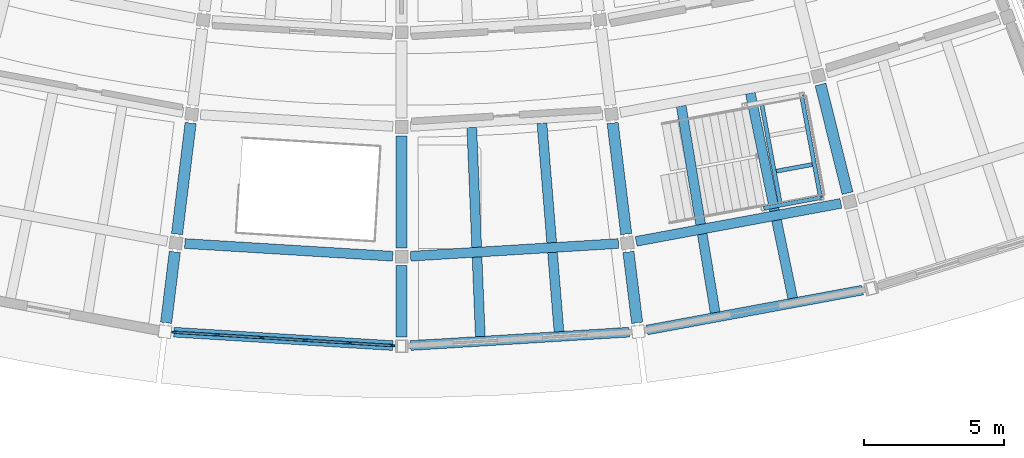
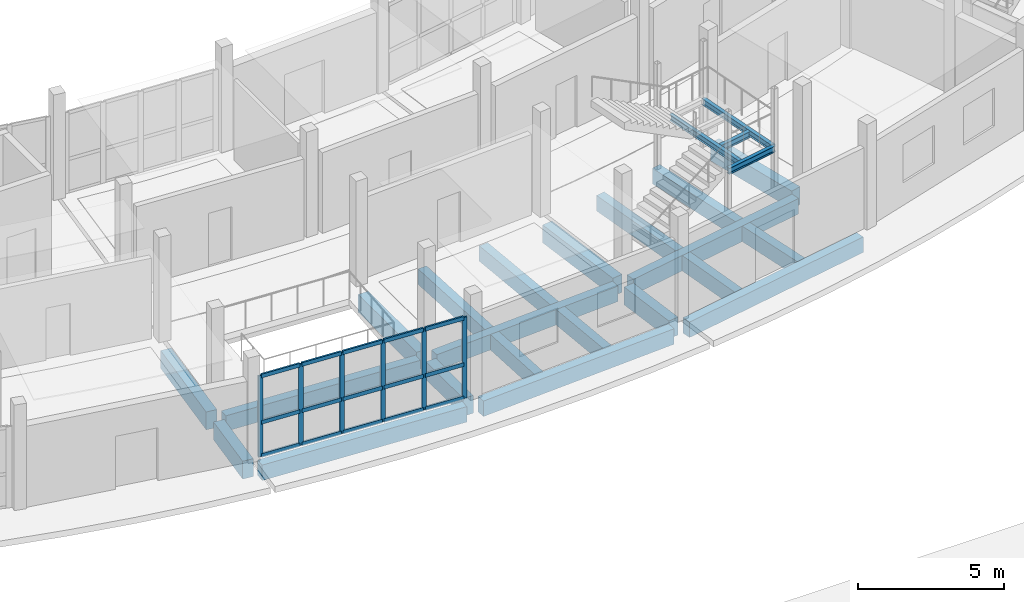
# One storey, part 29 of 92: 21 beams, 21 members, 1 element without a shape of its own.
"""IFC4 building model written with IfcOpenShell, lengths in metres."""

import ifcopenshell
import ifcopenshell.guid

model = None  # the IFC model being written
_history = None  # IfcOwnerHistory: only IFC2X3 demands one
_inside = {}  # id of a spatial element -> (the spatial element, [elements in it])
_under = {}  # id of a project, library or spatial element -> (it, [spatial elements below it])
_declared = {}  # id of a project -> (the project, [libraries it declares])
_typed = {}  # id of a type object -> (the type object, [elements of that type])
_made_of = {}  # id of a material, layer set ... -> (it, [elements and type objects made of it])


def new_model(schema):
    """Start an empty IFC model of exactly this schema.

    Asked for "IFC4X3", IfcOpenShell would pick the latest addendum, in which some entities
    have other attributes; the version numbers below select the first issue.
    IFC2X3 requires an IfcOwnerHistory on every rooted entity: one is made here for all.
    """
    global model, _history
    if schema == "IFC4X3":
        model = ifcopenshell.file(schema_version=(4, 3, 0, 0))
    else:
        model = ifcopenshell.file(schema=schema)
    _inside.clear()
    _under.clear()
    _declared.clear()
    _typed.clear()
    _made_of.clear()
    _history = None
    if model.schema == "IFC2X3":
        org = make("IfcOrganization", Name="unknown")
        user = make(
            "IfcPersonAndOrganization",
            ThePerson=make("IfcPerson", FamilyName="unknown"),
            TheOrganization=org,
        )
        app = make(
            "IfcApplication",
            ApplicationDeveloper=org,
            Version="unknown",
            ApplicationFullName="unknown",
            ApplicationIdentifier="unknown",
        )
        _history = make(
            "IfcOwnerHistory",
            OwningUser=user,
            OwningApplication=app,
            ChangeAction="ADDED",
            CreationDate=0,
        )
    return model


def make(cls, **values):
    """One entity of the class cls with the attributes given. An attribute that is None is left unset."""
    return model.create_entity(
        cls, **{name: value for name, value in values.items() if value is not None}
    )


def rooted(cls, **values):
    """An entity with a GlobalId (a new one), such as an element, a storey or a relation."""
    return make(cls, GlobalId=ifcopenshell.guid.new(), OwnerHistory=_history, **values)


def si_unit(unit_type, name, prefix=None):
    """IfcSIUnit, for example si_unit("LENGTHUNIT", "METRE", prefix="MILLI")."""
    return make("IfcSIUnit", UnitType=unit_type, Prefix=prefix, Name=name)


def assignment(units):
    """IfcUnitAssignment: the units of a project."""
    return None if units is None else make("IfcUnitAssignment", Units=units)


def point(xyz):
    """IfcCartesianPoint."""
    return None if xyz is None else make("IfcCartesianPoint", Coordinates=xyz)


def direction(xyz):
    """IfcDirection."""
    return None if xyz is None else make("IfcDirection", DirectionRatios=xyz)


def frame(location, z_axis=None, x_axis=None):
    """IfcAxis2Placement3D, a coordinate frame: its origin and axes. An axis left out is left unset."""
    return make(
        "IfcAxis2Placement3D",
        Location=point(location),
        Axis=direction(z_axis),
        RefDirection=direction(x_axis),
    )


def frame_2d(location, x_axis=None):
    """IfcAxis2Placement2D, a coordinate frame in the plane: its origin and x axis."""
    return make(
        "IfcAxis2Placement2D", Location=point(location), RefDirection=direction(x_axis)
    )


def origin():
    """The frame at (0, 0, 0) with its axes left unset."""
    return frame((0.0, 0.0, 0.0))


def origin_2d():
    """The frame at (0, 0) in the plane with its x axis left unset."""
    return frame_2d((0.0, 0.0))


def place(relative_to, where):
    """IfcLocalPlacement: puts the frame where relative to a parent placement (None: the world)."""
    return make(
        "IfcLocalPlacement", PlacementRelTo=relative_to, RelativePlacement=where
    )


def context(
    kind, dimensions, precision=None, world=None, true_north=None, identifier=None
):
    """IfcGeometricRepresentationContext, for example the 3D "Model" context."""
    return make(
        "IfcGeometricRepresentationContext",
        ContextIdentifier=identifier,
        ContextType=kind,
        CoordinateSpaceDimension=dimensions,
        Precision=precision,
        WorldCoordinateSystem=world,
        TrueNorth=true_north,
    )


def subcontext(parent, identifier, kind, view, scale=None):
    """IfcGeometricRepresentationSubContext, for example "Body" below "Model"."""
    return make(
        "IfcGeometricRepresentationSubContext",
        ContextIdentifier=identifier,
        ContextType=kind,
        ParentContext=parent,
        TargetScale=scale,
        TargetView=view,
    )


def project(units=None, contexts=None):
    """IfcProject with its units and contexts."""
    return rooted(
        "IfcProject",
        Name="project",
        RepresentationContexts=contexts,
        UnitsInContext=assignment(units),
    )


def spatial(cls, under=None, at=None, **own):
    """A site, building, storey or space (cls), placed at a placement, below another one or the project."""
    s = rooted(cls, ObjectPlacement=at, **own)
    if under is not None:
        _under.setdefault(under.id(), (under, []))[1].append(s)
    return s


def profile(cls, at=None, kind="AREA", **sizes):
    """A parametric profile (cls). Its sizes go by their IFC names, for example OverallWidth=200.0."""
    return make(cls, ProfileType=kind, Position=at, **sizes)


def rectangle(**sizes):
    """IfcRectangleProfileDef."""
    return profile("IfcRectangleProfileDef", **sizes)


def i_section(**sizes):
    """IfcIShapeProfileDef."""
    return profile("IfcIShapeProfileDef", **sizes)


def extrude(swept, where, along, depth):
    """IfcExtrudedAreaSolid: the profile swept, set in the frame where, extruded along a direction by depth."""
    return make(
        "IfcExtrudedAreaSolid",
        SweptArea=swept,
        Position=where,
        ExtrudedDirection=direction(along),
        Depth=depth,
    )


def shape(context_of_items, identifier, shape_type, items):
    """IfcShapeRepresentation: the items that make up one representation, for example the "Body"."""
    return make(
        "IfcShapeRepresentation",
        ContextOfItems=context_of_items,
        RepresentationIdentifier=identifier,
        RepresentationType=shape_type,
        Items=items,
    )


def material(Name=None, Category=None):
    """IfcMaterial."""
    return make("IfcMaterial", Name=Name, Category=Category)


def layer(
    of_material, thickness, ventilated=None, Name=None, Category=None, Priority=None
):
    """IfcMaterialLayer: one layer of a wall or slab, of a material (None: an air gap)."""
    return make(
        "IfcMaterialLayer",
        Material=of_material,
        LayerThickness=thickness,
        IsVentilated=ventilated,
        Name=Name,
        Category=Category,
        Priority=Priority,
    )


def layer_set(layers, Name=None):
    """IfcMaterialLayerSet."""
    return make("IfcMaterialLayerSet", MaterialLayers=layers, LayerSetName=Name)


def material_profile(
    of_material, cross_section, Name=None, Category=None, Priority=None
):
    """IfcMaterialProfile: a cross section and its material."""
    return make(
        "IfcMaterialProfile",
        Name=Name,
        Material=of_material,
        Profile=cross_section,
        Priority=Priority,
        Category=Category,
    )


def profile_set(profiles, Name=None, composite=None):
    """IfcMaterialProfileSet."""
    return make(
        "IfcMaterialProfileSet",
        Name=Name,
        MaterialProfiles=profiles,
        CompositeProfile=composite,
    )


def made_of(thing, what):
    """Note that an element or type object is made of a material, layer set ...; save() writes the relation."""
    if what is not None:
        _made_of.setdefault(what.id(), (what, []))[1].append(thing)
    return thing


def type_object(cls, material=None, **own):
    """A type object (cls), such as IfcWallType, which elements share."""
    return made_of(rooted(cls, **own), material)


def element(
    cls,
    number,
    at=None,
    inside=None,
    cuts=None,
    type_object=None,
    material=None,
    context=None,
    identifier="Body",
    shape_type=None,
    held_by="IfcProductDefinitionShape",
    body=None,
    shapes=None,
    **own,
):
    """One element of the class cls, such as IfcWall. Its Tag is "e" and its number.

    at: its placement. inside: the storey or other place that contains it. cuts: it is an
    opening in that element (IfcRelVoidsElement). A single representation is given by context,
    identifier, shape_type and body (its items); several are given by shapes. held_by: the class
    of the entity that holds the representations. save() writes the other relations.
    """
    e = rooted(cls, Tag="e%d" % number, ObjectPlacement=at, **own)
    if body is not None:
        shapes = [shape(context, identifier, shape_type, body)]
    if shapes is not None:
        e.Representation = make(held_by, Representations=shapes)
    if inside is not None:
        _inside.setdefault(inside.id(), (inside, []))[1].append(e)
    if cuts is not None:
        rooted(
            "IfcRelVoidsElement", RelatingBuildingElement=cuts, RelatedOpeningElement=e
        )
    if type_object is not None:
        _typed.setdefault(type_object.id(), (type_object, []))[1].append(e)
    return made_of(e, material)


def aggregate(whole, parts):
    """IfcRelAggregates: a whole, such as a stair, and the parts it consists of."""
    return rooted("IfcRelAggregates", RelatingObject=whole, RelatedObjects=parts)


def save(model, path):
    """Write the relations noted so far, then the file.

    IfcRelAggregates (storeys below a building ...), IfcRelContainedInSpatialStructure (elements
    in a storey), IfcRelDefinesByType, IfcRelAssociatesMaterial and IfcRelDeclares: one each for
    every whole, place, type object, material and project.
    """
    for whole, parts in _under.values():
        aggregate(whole, parts)
    for where, things in _inside.values():
        rooted(
            "IfcRelContainedInSpatialStructure",
            RelatedElements=things,
            RelatingStructure=where,
        )
    for kind, things in _typed.values():
        rooted("IfcRelDefinesByType", RelatedObjects=things, RelatingType=kind)
    for what, things in _made_of.values():
        rooted("IfcRelAssociatesMaterial", RelatedObjects=things, RelatingMaterial=what)
    for by, libraries in _declared.values():
        rooted("IfcRelDeclares", RelatingContext=by, RelatedDefinitions=libraries)
    model.write(path)


model = new_model("IFC4")

# Units and contexts
model_context = context("Model", 3, precision=1e-05, world=origin(), true_north=direction((0.0, 1.0)))
body_context = subcontext(model_context, "Body", "Model", "MODEL_VIEW")
ifc_project = project(units=[si_unit("LENGTHUNIT", "METRE"), si_unit("AREAUNIT", "SQUARE_METRE"), si_unit("VOLUMEUNIT", "CUBIC_METRE"), si_unit("PLANEANGLEUNIT", "RADIAN"), si_unit("MASSUNIT", "GRAM", prefix="KILO")], contexts=[model_context])

# Site, building, storey
site_placement = place(None, origin())
site = spatial("IfcSite", under=ifc_project, at=site_placement, CompositionType="ELEMENT")
building_placement = place(site_placement, origin())
building = spatial("IfcBuilding", under=site, at=building_placement, Name="Caldaven Crescent School", CompositionType="ELEMENT")
storey_placement = place(building_placement, origin())
storey = spatial("IfcBuildingStorey", under=building, at=storey_placement, Name="L00", CompositionType="ELEMENT", Elevation=0.0)

# Beams
ifc_material_1 = material(Name="Concrete C30/37", Category="concrete")
ifc_material_profile_1 = material_profile(ifc_material_1, rectangle(XDim=0.35009765625, YDim=0.64990234375, at=origin_2d()), Name="RC 350x650")
ifc_profile_set_1 = profile_set([ifc_material_profile_1], Name="Concrete C30/37")
beam_type_1 = type_object("IfcBeamType", Name="BM-RC35", PredefinedType="BEAM", material=ifc_profile_set_1)
for number, where, z_axis, x_axis, name in (
    (1, (80.2333984375, 30.125, -0.5849609375), (0.998134209317, -0.061058170554, 0.0), (0.061058170554, 0.998134209317, 0.0), "BMT-V5-L00-0833"),
    (2, (88.3193359375, 29.66943359375, -0.5849609375), (0.998134209317, 0.061058170554, 0.0), (-0.061058170554, 0.998134209317, 0.0), "BMT-V5-L00-0840"),
):
    element("IfcBeam", number, at=place(storey_placement, frame(where, z_axis=z_axis, x_axis=x_axis)), inside=storey, type_object=beam_type_1, Name=name, PredefinedType="BEAM", context=body_context, shape_type="SweptSolid", body=[
        extrude(rectangle(XDim=0.35009765625, YDim=0.64990234375, at=origin_2d()), origin(), (0.0, 0.0, 1.0), 7.461181640625),
    ])
beam_1_placement = place(storey_placement, frame((90.513427734375, 34.283447265625, -0.5849609375), z_axis=(0.040674219557, -0.999172461522, 0.0), x_axis=(0.999172461522, 0.040674219557, 0.0)))
element("IfcBeam", 3, at=beam_1_placement, inside=storey, type_object=beam_type_1, Name="JSR-V5-L00-0843", PredefinedType="BEAM", context=body_context, shape_type="SweptSolid", body=[
    extrude(rectangle(XDim=0.35009765625, YDim=0.64990234375, at=origin_2d()), origin(), (0.0, 0.0, 1.0), 7.496826171875),
])
beam_2_placement = place(storey_placement, frame((93.026611328125, 34.437255859375, -0.5849609375), z_axis=(0.081412183778, -0.996680518688, 0.0), x_axis=(0.996680518688, 0.081412183778, 0.0)))
element("IfcBeam", 4, at=beam_2_placement, inside=storey, type_object=beam_type_1, Name="JSR-V5-L00-0845", PredefinedType="BEAM", context=body_context, shape_type="SweptSolid", body=[
    extrude(rectangle(XDim=0.35009765625, YDim=0.64990234375, at=origin_2d()), origin(), (0.0, 0.0, 1.0), 7.4970703125),
])
beam_3_placement = place(storey_placement, frame((96.400634765625, 30.202880859375, -0.5849609375), z_axis=(0.983256390697, 0.182227523039, 0.0), x_axis=(-0.182227523039, 0.983256390697, 0.0)))
element("IfcBeam", 5, at=beam_3_placement, inside=storey, type_object=beam_type_1, Name="BMT-V5-L00-0849", PredefinedType="BEAM", context=body_context, shape_type="SweptSolid", body=[
    extrude(rectangle(XDim=0.35009765625, YDim=0.64990234375, at=origin_2d()), origin(), (0.0, 0.0, 1.0), 7.461181640625),
])
beam_4_placement = place(storey_placement, frame((98.015869140625, 35.0498046875, -0.5849609375), z_axis=(0.162175326079, -0.98676195894, 0.0), x_axis=(0.98676195894, 0.162175326079, 0.0)))
element("IfcBeam", 6, at=beam_4_placement, inside=storey, type_object=beam_type_1, Name="JSR-V5-L00-0852", PredefinedType="BEAM", context=body_context, shape_type="SweptSolid", body=[
    extrude(rectangle(XDim=0.35009765625, YDim=0.64990234375, at=origin_2d()), origin(), (0.0, 0.0, 1.0), 7.4970703125),
])
beam_5_placement = place(storey_placement, frame((100.491943359375, 35.508544921875, -0.5849609375), z_axis=(0.202230846271, -0.979337880824, 0.0), x_axis=(0.979337880824, 0.202230846271, 0.0)))
element("IfcBeam", 7, at=beam_5_placement, inside=storey, type_object=beam_type_1, Name="JSR-V5-L00-0854", PredefinedType="BEAM", context=body_context, shape_type="SweptSolid", body=[
    extrude(rectangle(XDim=0.35009765625, YDim=0.64990234375, at=origin_2d()), origin(), (0.0, 0.0, 1.0), 7.496826171875),
])
ifc_material_2 = material(Name="Concrete C35/45", Category="concrete")
ifc_material_profile_2 = material_profile(ifc_material_2, rectangle(XDim=0.39990234375, YDim=0.75, at=origin_2d()), Name="RC 400x750")
ifc_profile_set_2 = profile_set([ifc_material_profile_2], Name="Concrete C35/45")
beam_type_2 = type_object("IfcBeamType", Name="BM-RC40", PredefinedType="BEAM", material=ifc_profile_set_2)
beam_6_placement = place(storey_placement, frame((80.441650390625, 34.4423828125, -0.635009765625), z_axis=(-0.121883935981, -0.992544359789, 0.0), x_axis=(0.992544359789, -0.121883935981, 0.0)))
element("IfcBeam", 8, at=beam_6_placement, inside=storey, type_object=beam_type_2, Name="BMR-V5-L00-0796", PredefinedType="BEAM", context=body_context, shape_type="SweptSolid", body=[
    extrude(rectangle(XDim=0.39990234375, YDim=0.75, at=origin_2d()), origin(), (0.0, 0.0, 1.0), 4.010009765625),
])
beam_7_placement = place(storey_placement, frame((79.875, 29.826904296875, -0.635009765625), z_axis=(-0.121886356485, -0.99254406255, 0.0), x_axis=(0.99254406255, -0.121886356485, 0.0)))
element("IfcBeam", 9, at=beam_7_placement, inside=storey, type_object=beam_type_2, Name="BMR-V5-L00-0797", PredefinedType="BEAM", context=body_context, shape_type="SweptSolid", body=[
    extrude(rectangle(XDim=0.39990234375, YDim=0.75, at=origin_2d()), origin(), (0.0, 0.0, 1.0), 2.559814453125),
])
beam_8_placement = place(storey_placement, frame((88.0, 33.97998046875, -0.635009765625), z_axis=(0.0, -1.0, 0.0), x_axis=(1.0, 0.0, 0.0)))
element("IfcBeam", 10, at=beam_8_placement, inside=storey, type_object=beam_type_2, Name="BMR-V5-L00-0800", PredefinedType="BEAM", context=body_context, shape_type="SweptSolid", body=[
    extrude(rectangle(XDim=0.39990234375, YDim=0.75, at=origin_2d()), origin(), (0.0, 0.0, 1.0), 4.010009765625),
])
beam_9_placement = place(storey_placement, frame((88.0, 29.330078125, -0.635009765625), z_axis=(0.0, -1.0, 0.0), x_axis=(1.0, 0.0, 0.0)))
element("IfcBeam", 11, at=beam_9_placement, inside=storey, type_object=beam_type_2, Name="BMR-V5-L00-0801", PredefinedType="BEAM", context=body_context, shape_type="SweptSolid", body=[
    extrude(rectangle(XDim=0.39990234375, YDim=0.75, at=origin_2d()), origin(), (0.0, 0.0, 1.0), 2.56005859375),
])
beam_10_placement = place(storey_placement, frame((95.558349609375, 34.4423828125, -0.635009765625), z_axis=(0.121883935981, -0.992544359789, 0.0), x_axis=(0.992544359789, 0.121883935981, 0.0)))
element("IfcBeam", 12, at=beam_10_placement, inside=storey, type_object=beam_type_2, Name="BMR-V5-L00-0804", PredefinedType="BEAM", context=body_context, shape_type="SweptSolid", body=[
    extrude(rectangle(XDim=0.39990234375, YDim=0.75, at=origin_2d()), origin(), (0.0, 0.0, 1.0), 4.010009765625),
])
beam_11_placement = place(storey_placement, frame((96.125, 29.826904296875, -0.635009765625), z_axis=(0.121886356485, -0.99254406255, 0.0), x_axis=(0.99254406255, 0.121886356485, 0.0)))
element("IfcBeam", 13, at=beam_11_placement, inside=storey, type_object=beam_type_2, Name="BMR-V5-L00-0805", PredefinedType="BEAM", context=body_context, shape_type="SweptSolid", body=[
    extrude(rectangle(XDim=0.39990234375, YDim=0.75, at=origin_2d()), origin(), (0.0, 0.0, 1.0), 2.559814453125),
])
beam_12_placement = place(storey_placement, frame((103.00390625, 35.822265625, -0.635009765625), z_axis=(0.241948240651, -0.970289157337, 0.0), x_axis=(0.970289157337, 0.241948240651, 0.0)))
element("IfcBeam", 14, at=beam_12_placement, inside=storey, type_object=beam_type_2, Name="BMR-V5-L00-0808", PredefinedType="BEAM", context=body_context, shape_type="SweptSolid", body=[
    extrude(rectangle(XDim=0.39990234375, YDim=0.75, at=origin_2d()), origin(), (0.0, 0.0, 1.0), 4.010009765625),
])
ifc_material_3 = material(Name="Steel ASTM A572 Grade 50", Category="steel")
ifc_material_profile_3 = material_profile(ifc_material_3, i_section(OverallWidth=0.14599609375, OverallDepth=0.258056640625, WebThickness=0.006103515625, FlangeThickness=0.009033203125, FilletRadius=0.011962890625, at=origin_2d()), Name="W250x33")
ifc_profile_set_3 = profile_set([ifc_material_profile_3], Name="Steel ASTM A572 Grade 50")
beam_type_3 = type_object("IfcBeamType", Name="BM-W25", PredefinedType="BEAM", material=ifc_profile_set_3)
beam_13_placement = place(storey_placement, frame((100.97119140625, 31.391845703125, 1.885986328125), z_axis=(0.983254881215, 0.18223566766, 0.0), x_axis=(-0.18223566766, 0.983254881215, 0.0)))
element("IfcBeam", 15, at=beam_13_placement, inside=storey, type_object=beam_type_3, Name="BM-STSIDE-ST3-L00-SL", PredefinedType="BEAM", context=body_context, shape_type="SweptSolid", body=[
    extrude(i_section(OverallWidth=0.14599609375, OverallDepth=0.258056640625, WebThickness=0.006103515625, FlangeThickness=0.009033203125, FilletRadius=0.011962890625, at=origin_2d()), origin(), (0.0, 0.0, 1.0), 2.08984375),
])
beam_14_placement = place(storey_placement, frame((101.57080078125, 31.503173828125, 1.885986328125), z_axis=(-0.182199128441, 0.983261652662, 0.0), x_axis=(-0.983261652662, -0.182199128441, 0.0)))
element("IfcBeam", 16, at=beam_14_placement, inside=storey, type_object=beam_type_3, Name="BM-STLND-ST3-L00-IN", PredefinedType="BEAM", context=body_context, shape_type="SweptSolid", body=[
    extrude(i_section(OverallWidth=0.14599609375, OverallDepth=0.258056640625, WebThickness=0.006103515625, FlangeThickness=0.009033203125, FilletRadius=0.011962890625, at=origin_2d()), origin(), (0.0, 0.0, 1.0), 3.73974609375),
])
beam_15_placement = place(storey_placement, frame((103.00634765625, 31.76904296875, 1.885986328125), z_axis=(-0.182187434135, 0.983263819554, 0.0), x_axis=(-0.983263819554, -0.182187434135, 0.0)))
element("IfcBeam", 17, at=beam_15_placement, inside=storey, type_object=beam_type_3, Name="BM-STLND-ST3-L00-OUT", PredefinedType="BEAM", context=body_context, shape_type="SweptSolid", body=[
    extrude(i_section(OverallWidth=0.14599609375, OverallDepth=0.258056640625, WebThickness=0.006103515625, FlangeThickness=0.009033203125, FilletRadius=0.011962890625, at=origin_2d()), origin(), (0.0, 0.0, 1.0), 3.739990234375),
])

# Curtain wall, members
ifc_material_4 = material(Name="Anodised aluminium AA 6063-T6 and low-E double glazing", Category="aluminium")
ifc_layer = layer(ifc_material_4, 0.2099609375)
ifc_layer_set = layer_set([ifc_layer], Name="Anodised aluminium AA 6063-T6 and low-E double glazing")
curtain_wall_type = type_object("IfcCurtainWallType", Name="CW-SYS3", PredefinedType="NOTDEFINED", material=ifc_layer_set)
curtain_wall_placement = place(storey_placement, origin())
curtain_wall = element("IfcCurtainWall", 18, at=curtain_wall_placement, inside=storey, type_object=curtain_wall_type, Name="CW-L00-110", PredefinedType="NOTDEFINED")
ifc_material_5 = material(Name="Anodised aluminium AA 6063-T6", Category="aluminium")
ifc_material_profile_4 = material_profile(ifc_material_5, rectangle(XDim=0.06494140625, YDim=0.179931640625, at=origin_2d()), Name="CWM 65x180")
ifc_profile_set_4 = profile_set([ifc_material_profile_4], Name="Anodised aluminium AA 6063-T6")
member_type_1 = type_object("IfcMemberType", Name="CWM-T2", PredefinedType="MULLION", material=ifc_profile_set_4)
member_1_placement = place(storey_placement, frame((79.85595703125, 26.947998046875, 0.0), z_axis=(0.0, 0.0, 1.0), x_axis=(0.061049055851, 0.998134766843, 0.0)))
member_1 = element("IfcMember", 19, at=member_1_placement, type_object=member_type_1, Name="CW3 mullion 1", PredefinedType="MULLION", context=body_context, shape_type="SweptSolid", body=[
    extrude(rectangle(XDim=0.06494140625, YDim=0.179931640625, at=origin_2d()), origin(), (0.0, 0.0, 1.0), 3.39990234375),
])
member_2_placement = place(storey_placement, frame((81.39892578125, 26.853759765625, 0.0), z_axis=(0.0, 0.0, 1.0), x_axis=(0.061049055851, 0.998134766843, 0.0)))
member_2 = element("IfcMember", 20, at=member_2_placement, type_object=member_type_1, Name="CW3 mullion 2", PredefinedType="MULLION", context=body_context, shape_type="SweptSolid", body=[
    extrude(rectangle(XDim=0.06494140625, YDim=0.179931640625, at=origin_2d()), origin(), (0.0, 0.0, 1.0), 3.39990234375),
])
member_3_placement = place(storey_placement, frame((82.974365234375, 26.75732421875, 0.0), z_axis=(0.0, 0.0, 1.0), x_axis=(0.061049055851, 0.998134766843, 0.0)))
member_3 = element("IfcMember", 21, at=member_3_placement, type_object=member_type_1, Name="CW3 mullion 3", PredefinedType="MULLION", context=body_context, shape_type="SweptSolid", body=[
    extrude(rectangle(XDim=0.06494140625, YDim=0.179931640625, at=origin_2d()), origin(), (0.0, 0.0, 1.0), 3.39990234375),
])
member_4_placement = place(storey_placement, frame((84.5498046875, 26.6611328125, 0.0), z_axis=(0.0, 0.0, 1.0), x_axis=(0.061049055851, 0.998134766843, 0.0)))
member_4 = element("IfcMember", 22, at=member_4_placement, type_object=member_type_1, Name="CW3 mullion 4", PredefinedType="MULLION", context=body_context, shape_type="SweptSolid", body=[
    extrude(rectangle(XDim=0.06494140625, YDim=0.179931640625, at=origin_2d()), origin(), (0.0, 0.0, 1.0), 3.39990234375),
])
member_5_placement = place(storey_placement, frame((86.125244140625, 26.564697265625, 0.0), z_axis=(0.0, 0.0, 1.0), x_axis=(0.061049055851, 0.998134766843, 0.0)))
member_5 = element("IfcMember", 23, at=member_5_placement, type_object=member_type_1, Name="CW3 mullion 5", PredefinedType="MULLION", context=body_context, shape_type="SweptSolid", body=[
    extrude(rectangle(XDim=0.06494140625, YDim=0.179931640625, at=origin_2d()), origin(), (0.0, 0.0, 1.0), 3.39990234375),
])
member_6_placement = place(storey_placement, frame((87.668212890625, 26.47021484375, 0.0), z_axis=(0.0, 0.0, 1.0), x_axis=(0.061049055851, 0.998134766843, 0.0)))
member_6 = element("IfcMember", 24, at=member_6_placement, type_object=member_type_1, Name="CW3 mullion 6", PredefinedType="MULLION", context=body_context, shape_type="SweptSolid", body=[
    extrude(rectangle(XDim=0.06494140625, YDim=0.179931640625, at=origin_2d()), origin(), (0.0, 0.0, 1.0), 3.39990234375),
])
ifc_material_profile_5 = material_profile(ifc_material_5, rectangle(XDim=0.070068359375, YDim=0.159912109375, at=origin_2d()), Name="CWT 70x160")
ifc_profile_set_5 = profile_set([ifc_material_profile_5], Name="Anodised aluminium AA 6063-T6")
member_type_2 = type_object("IfcMemberType", Name="CWT-T3", PredefinedType="USERDEFINED", material=ifc_profile_set_5)
member_7_placement = place(storey_placement, frame((79.888427734375, 26.946044921875, 0.034912109375), z_axis=(0.998137595333, -0.06100279324, 0.0), x_axis=(0.06100279324, 0.998137595333, 0.0)))
member_7 = element("IfcMember", 25, at=member_7_placement, type_object=member_type_2, Name="CW3 transom 1.1", ObjectType="TRANSOM", PredefinedType="USERDEFINED", context=body_context, shape_type="SweptSolid", body=[
    extrude(rectangle(XDim=0.070068359375, YDim=0.159912109375, at=origin_2d()), origin(), (0.0, 0.0, 1.0), 1.480712890625),
])
member_8_placement = place(storey_placement, frame((79.888427734375, 26.946044921875, 1.427978515625), z_axis=(0.998137595333, -0.06100279324, 0.0), x_axis=(0.06100279324, 0.998137595333, 0.0)))
member_8 = element("IfcMember", 26, at=member_8_placement, type_object=member_type_2, Name="CW3 transom 1.2", ObjectType="TRANSOM", PredefinedType="USERDEFINED", context=body_context, shape_type="SweptSolid", body=[
    extrude(rectangle(XDim=0.070068359375, YDim=0.159912109375, at=origin_2d()), origin(), (0.0, 0.0, 1.0), 1.480712890625),
])
member_9_placement = place(storey_placement, frame((79.888427734375, 26.946044921875, 3.364990234375), z_axis=(0.998137595333, -0.06100279324, 0.0), x_axis=(0.06100279324, 0.998137595333, 0.0)))
member_9 = element("IfcMember", 27, at=member_9_placement, type_object=member_type_2, Name="CW3 transom 1.3", ObjectType="TRANSOM", PredefinedType="USERDEFINED", context=body_context, shape_type="SweptSolid", body=[
    extrude(rectangle(XDim=0.070068359375, YDim=0.159912109375, at=origin_2d()), origin(), (0.0, 0.0, 1.0), 1.480712890625),
])
member_10_placement = place(storey_placement, frame((81.431396484375, 26.851806640625, 0.034912109375), z_axis=(0.998129024809, -0.061142864135, 0.0), x_axis=(0.061142864135, 0.998129024809, 0.0)))
member_10 = element("IfcMember", 28, at=member_10_placement, type_object=member_type_2, Name="CW3 transom 2.1", ObjectType="TRANSOM", PredefinedType="USERDEFINED", context=body_context, shape_type="SweptSolid", body=[
    extrude(rectangle(XDim=0.070068359375, YDim=0.159912109375, at=origin_2d()), origin(), (0.0, 0.0, 1.0), 1.513427734375),
])
member_11_placement = place(storey_placement, frame((81.431396484375, 26.851806640625, 1.427978515625), z_axis=(0.998129024809, -0.061142864135, 0.0), x_axis=(0.061142864135, 0.998129024809, 0.0)))
member_11 = element("IfcMember", 29, at=member_11_placement, type_object=member_type_2, Name="CW3 transom 2.2", ObjectType="TRANSOM", PredefinedType="USERDEFINED", context=body_context, shape_type="SweptSolid", body=[
    extrude(rectangle(XDim=0.070068359375, YDim=0.159912109375, at=origin_2d()), origin(), (0.0, 0.0, 1.0), 1.513427734375),
])
member_12_placement = place(storey_placement, frame((81.431396484375, 26.851806640625, 3.364990234375), z_axis=(0.998129024809, -0.061142864135, 0.0), x_axis=(0.061142864135, 0.998129024809, 0.0)))
member_12 = element("IfcMember", 30, at=member_12_placement, type_object=member_type_2, Name="CW3 transom 2.3", ObjectType="TRANSOM", PredefinedType="USERDEFINED", context=body_context, shape_type="SweptSolid", body=[
    extrude(rectangle(XDim=0.070068359375, YDim=0.159912109375, at=origin_2d()), origin(), (0.0, 0.0, 1.0), 1.513427734375),
])
member_13_placement = place(storey_placement, frame((83.0068359375, 26.75537109375, 0.034912109375), z_axis=(0.998138857494, -0.060982138053, 0.0), x_axis=(0.060982138053, 0.998138857494, 0.0)))
member_13 = element("IfcMember", 31, at=member_13_placement, type_object=member_type_2, Name="CW3 transom 3.1", ObjectType="TRANSOM", PredefinedType="USERDEFINED", context=body_context, shape_type="SweptSolid", body=[
    extrude(rectangle(XDim=0.070068359375, YDim=0.159912109375, at=origin_2d()), origin(), (0.0, 0.0, 1.0), 1.513427734375),
])
member_14_placement = place(storey_placement, frame((83.0068359375, 26.75537109375, 1.427978515625), z_axis=(0.998138857494, -0.060982138053, 0.0), x_axis=(0.060982138053, 0.998138857494, 0.0)))
member_14 = element("IfcMember", 32, at=member_14_placement, type_object=member_type_2, Name="CW3 transom 3.2", ObjectType="TRANSOM", PredefinedType="USERDEFINED", context=body_context, shape_type="SweptSolid", body=[
    extrude(rectangle(XDim=0.070068359375, YDim=0.159912109375, at=origin_2d()), origin(), (0.0, 0.0, 1.0), 1.513427734375),
])
member_15_placement = place(storey_placement, frame((83.0068359375, 26.75537109375, 3.364990234375), z_axis=(0.998138857494, -0.060982138053, 0.0), x_axis=(0.060982138053, 0.998138857494, 0.0)))
member_15 = element("IfcMember", 33, at=member_15_placement, type_object=member_type_2, Name="CW3 transom 3.3", ObjectType="TRANSOM", PredefinedType="USERDEFINED", context=body_context, shape_type="SweptSolid", body=[
    extrude(rectangle(XDim=0.070068359375, YDim=0.159912109375, at=origin_2d()), origin(), (0.0, 0.0, 1.0), 1.513427734375),
])
member_16_placement = place(storey_placement, frame((84.58203125, 26.658935546875, 0.034912109375), z_axis=(0.9981394573, -0.06097231979, 0.0), x_axis=(0.06097231979, 0.9981394573, 0.0)))
member_16 = element("IfcMember", 34, at=member_16_placement, type_object=member_type_2, Name="CW3 transom 4.1", ObjectType="TRANSOM", PredefinedType="USERDEFINED", context=body_context, shape_type="SweptSolid", body=[
    extrude(rectangle(XDim=0.070068359375, YDim=0.159912109375, at=origin_2d()), origin(), (0.0, 0.0, 1.0), 1.513671875),
])
member_17_placement = place(storey_placement, frame((84.58203125, 26.658935546875, 1.427978515625), z_axis=(0.9981394573, -0.06097231979, 0.0), x_axis=(0.06097231979, 0.9981394573, 0.0)))
member_17 = element("IfcMember", 35, at=member_17_placement, type_object=member_type_2, Name="CW3 transom 4.2", ObjectType="TRANSOM", PredefinedType="USERDEFINED", context=body_context, shape_type="SweptSolid", body=[
    extrude(rectangle(XDim=0.070068359375, YDim=0.159912109375, at=origin_2d()), origin(), (0.0, 0.0, 1.0), 1.513671875),
])
member_18_placement = place(storey_placement, frame((84.58203125, 26.658935546875, 3.364990234375), z_axis=(0.9981394573, -0.06097231979, 0.0), x_axis=(0.06097231979, 0.9981394573, 0.0)))
member_18 = element("IfcMember", 36, at=member_18_placement, type_object=member_type_2, Name="CW3 transom 4.3", ObjectType="TRANSOM", PredefinedType="USERDEFINED", context=body_context, shape_type="SweptSolid", body=[
    extrude(rectangle(XDim=0.070068359375, YDim=0.159912109375, at=origin_2d()), origin(), (0.0, 0.0, 1.0), 1.513671875),
])
member_19_placement = place(storey_placement, frame((86.157470703125, 26.562744140625, 0.034912109375), z_axis=(0.998128159669, -0.061156985506, 0.0), x_axis=(0.061156985506, 0.998128159669, 0.0)))
member_19 = element("IfcMember", 37, at=member_19_placement, type_object=member_type_2, Name="CW3 transom 5.1", ObjectType="TRANSOM", PredefinedType="USERDEFINED", context=body_context, shape_type="SweptSolid", body=[
    extrude(rectangle(XDim=0.070068359375, YDim=0.159912109375, at=origin_2d()), origin(), (0.0, 0.0, 1.0), 1.48095703125),
])
member_20_placement = place(storey_placement, frame((86.157470703125, 26.562744140625, 1.427978515625), z_axis=(0.998128159669, -0.061156985506, 0.0), x_axis=(0.061156985506, 0.998128159669, 0.0)))
member_20 = element("IfcMember", 38, at=member_20_placement, type_object=member_type_2, Name="CW3 transom 5.2", ObjectType="TRANSOM", PredefinedType="USERDEFINED", context=body_context, shape_type="SweptSolid", body=[
    extrude(rectangle(XDim=0.070068359375, YDim=0.159912109375, at=origin_2d()), origin(), (0.0, 0.0, 1.0), 1.48095703125),
])
member_21_placement = place(storey_placement, frame((86.157470703125, 26.562744140625, 3.364990234375), z_axis=(0.998128159669, -0.061156985506, 0.0), x_axis=(0.061156985506, 0.998128159669, 0.0)))
member_21 = element("IfcMember", 39, at=member_21_placement, type_object=member_type_2, Name="CW3 transom 5.3", ObjectType="TRANSOM", PredefinedType="USERDEFINED", context=body_context, shape_type="SweptSolid", body=[
    extrude(rectangle(XDim=0.070068359375, YDim=0.159912109375, at=origin_2d()), origin(), (0.0, 0.0, 1.0), 1.48095703125),
])
aggregate(curtain_wall, [member_1, member_2, member_3, member_4, member_5, member_6, member_7, member_8, member_9, member_10, member_11, member_12, member_13, member_14, member_15, member_16, member_17, member_18, member_19, member_20, member_21])

# Beams
ifc_material_profile_6 = material_profile(ifc_material_3, i_section(OverallWidth=0.14599609375, OverallDepth=0.258056640625, WebThickness=0.006103515625, FlangeThickness=0.009033203125, FilletRadius=0.011962890625, at=origin_2d()), Name="W250x33")
ifc_profile_set_6 = profile_set([ifc_material_profile_6], Name="Steel ASTM A572 Grade 50")
beam_type_4 = type_object("IfcBeamType", Name="LN-W25", PredefinedType="LINTEL", material=ifc_profile_set_6)
beam_16_placement = place(storey_placement, frame((101.42724609375, 32.71728515625, 1.885986328125), z_axis=(0.983263316961, 0.1821901466, 0.0), x_axis=(-0.1821901466, 0.983263316961, 0.0)))
element("IfcBeam", 40, at=beam_16_placement, inside=storey, type_object=beam_type_4, Name="BM-STJST-ST3-L00-JL", PredefinedType="LINTEL", context=body_context, shape_type="SweptSolid", body=[
    extrude(i_section(OverallWidth=0.14599609375, OverallDepth=0.258056640625, WebThickness=0.006103515625, FlangeThickness=0.009033203125, FilletRadius=0.011962890625, at=origin_2d()), origin(), (0.0, 0.0, 1.0), 1.2998046875),
])
ifc_material_profile_7 = material_profile(ifc_material_1, rectangle(XDim=0.35009765625, YDim=0.64990234375, at=origin_2d()), Name="RC 350x650")
ifc_profile_set_7 = profile_set([ifc_material_profile_7], Name="Concrete C30/37")
beam_type_5 = type_object("IfcBeamType", Name="SP-RC35", PredefinedType="SPANDREL", material=ifc_profile_set_7)
for number, where, z_axis, x_axis, name in (
    (41, (79.843505859375, 26.948974609375, -0.5849609375), (0.998133625945, -0.061067706344, 0.0), (0.061067706344, 0.998133625945, 0.0), "BMT-V5-L00-0834"),
    (42, (88.3193359375, 26.469482421875, -0.5849609375), (0.998133625945, 0.061067706344, 0.0), (-0.061067706344, 0.998133625945, 0.0), "BMT-V5-L00-0841"),
    (43, (96.790771484375, 27.026611328125, -0.5849609375), (0.983253744645, 0.182241799929, 0.0), (-0.182241799929, 0.983253744645, 0.0), "BMT-V5-L00-0850"),
):
    element("IfcBeam", number, at=place(storey_placement, frame(where, z_axis=z_axis, x_axis=x_axis)), inside=storey, type_object=beam_type_5, Name=name, PredefinedType="SPANDREL", context=body_context, shape_type="SweptSolid", body=[
        extrude(rectangle(XDim=0.35009765625, YDim=0.64990234375, at=origin_2d()), origin(), (0.0, 0.0, 1.0), 7.851806640625),
    ])

save(model, "model.ifc")
